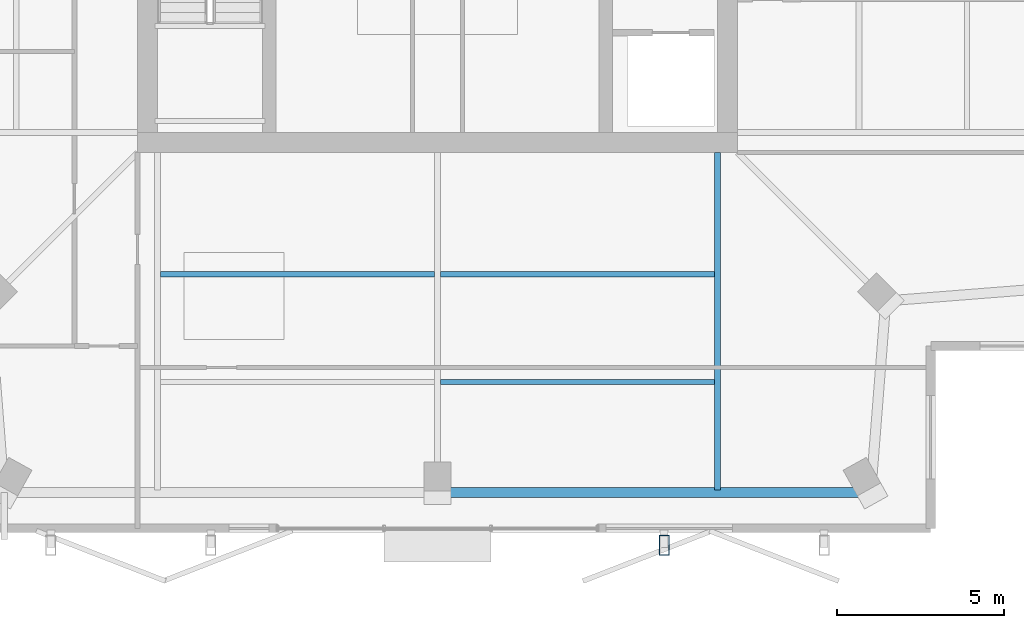
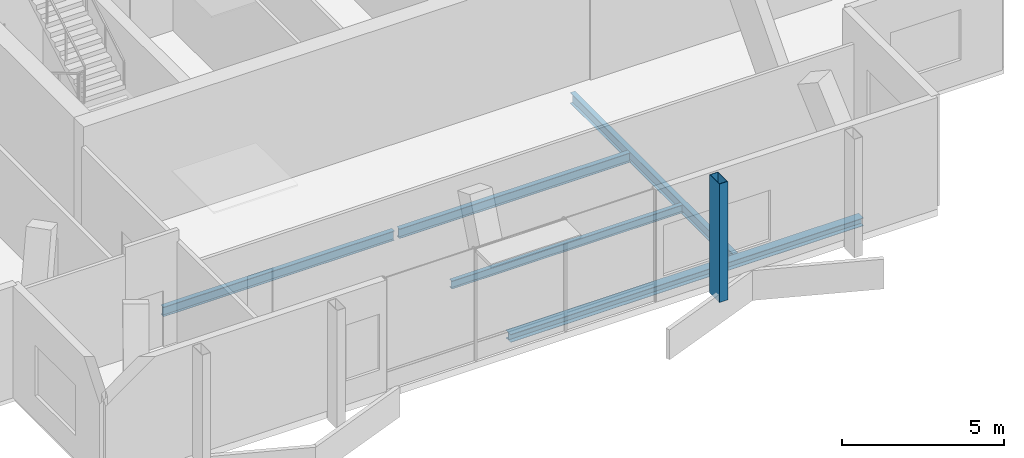
# One storey, part 3 of 16: 5 beams, 1 member.
"""IFC4 building model written with IfcOpenShell, lengths in metres."""

from ifc_helpers import new_model, si_unit, direction, frame, origin, origin_2d, place, context, subcontext, project, spatial, hollow_rectangle, i_section, extrude, material, material_profile, profile_set, type_object, element, save


model = new_model("IFC4")

# Units and contexts
model_context = context("Model", 3, precision=1e-05, world=origin(), true_north=direction((0.0, 1.0)))
body_context = subcontext(model_context, "Body", "Model", "MODEL_VIEW")
ifc_project = project(units=[si_unit("LENGTHUNIT", "METRE"), si_unit("AREAUNIT", "SQUARE_METRE"), si_unit("VOLUMEUNIT", "CUBIC_METRE"), si_unit("PLANEANGLEUNIT", "RADIAN"), si_unit("MASSUNIT", "GRAM", prefix="KILO")], contexts=[model_context])

# Site, building, storey
site_placement = place(None, origin())
site = spatial("IfcSite", under=ifc_project, at=site_placement, CompositionType="ELEMENT")
building_placement = place(site_placement, origin())
building = spatial("IfcBuilding", under=site, at=building_placement, Name="Belovzor Exchange Tower", CompositionType="ELEMENT")
storey_placement = place(building_placement, frame((0.0, 0.0, 364.5)))
storey = spatial("IfcBuildingStorey", under=building, at=storey_placement, Name="L91", CompositionType="ELEMENT", Elevation=364.5)

# Beams
ifc_material_1 = material(Name="Steel S355", Category="steel")
ifc_material_profile_1 = material_profile(ifc_material_1, i_section(OverallWidth=0.169921875, OverallDepth=0.360107421875, WebThickness=0.008056640625, FlangeThickness=0.0126953125, at=origin_2d()))
ifc_profile_set_1 = profile_set([ifc_material_profile_1], Name="Steel S355")
beam_type_1 = type_object("IfcBeamType", Name="Secondary Infill Floor Joist IPE 360", PredefinedType="BEAM", material=ifc_profile_set_1)
beam_1_placement = place(storey_placement, frame((20.489990234375, 16.155029296875, -0.43994140625), z_axis=(1.0, 0.0, 0.0), x_axis=(0.0, 1.0, 0.0)))
element("IfcBeam", 1, at=beam_1_placement, inside=storey, type_object=beam_type_1, Name="FJ-360 Secondary Infill Floor Joist IPE 360", PredefinedType="BEAM", context=body_context, shape_type="SweptSolid", body=[
    extrude(i_section(OverallWidth=0.169921875, OverallDepth=0.360107421875, WebThickness=0.008056640625, FlangeThickness=0.0126953125, at=origin_2d()), origin(), (0.0, 0.0, 1.0), 8.219970703125),
])
beam_2_placement = place(storey_placement, frame((28.889892578125, 16.155029296875, -0.43994140625), z_axis=(1.0, 0.0, 0.0), x_axis=(0.0, 1.0, 0.0)))
element("IfcBeam", 2, at=beam_2_placement, inside=storey, type_object=beam_type_1, Name="FJ-360 Secondary Infill Floor Joist IPE 360", PredefinedType="BEAM", context=body_context, shape_type="SweptSolid", body=[
    extrude(i_section(OverallWidth=0.169921875, OverallDepth=0.360107421875, WebThickness=0.008056640625, FlangeThickness=0.0126953125, at=origin_2d()), origin(), (0.0, 0.0, 1.0), 8.22021484375),
])
ifc_material_2 = material(Name="Steel S355", Category="steel")
ifc_material_profile_2 = material_profile(ifc_material_2, i_section(OverallWidth=0.14990234375, OverallDepth=0.300048828125, WebThickness=0.007080078125, FlangeThickness=0.0107421875, at=origin_2d()))
ifc_profile_set_2 = profile_set([ifc_material_profile_2], Name="Steel S355")
beam_type_2 = type_object("IfcBeamType", Name="Secondary Trim Floor Joist IPE 300", PredefinedType="BEAM", material=ifc_profile_set_2)
beam_3_placement = place(storey_placement, frame((28.889892578125, 12.9150390625, -0.409912109375), z_axis=(1.0, 0.0, 0.0), x_axis=(0.0, 1.0, 0.0)))
element("IfcBeam", 3, at=beam_3_placement, inside=storey, type_object=beam_type_2, Name="FJ-300 Secondary Trim Floor Joist IPE 300", PredefinedType="BEAM", context=body_context, shape_type="SweptSolid", body=[
    extrude(i_section(OverallWidth=0.14990234375, OverallDepth=0.300048828125, WebThickness=0.007080078125, FlangeThickness=0.0107421875, at=origin_2d()), origin(), (0.0, 0.0, 1.0), 8.22021484375),
])

# Member
ifc_material_3 = material(Name="Extruded Architectural Terracotta on Steel S355 Carrier", Category="masonry")
ifc_material_profile_3 = material_profile(ifc_material_3, hollow_rectangle(XDim=0.300048828125, YDim=0.60009765625, WallThickness=0.01611328125, at=origin_2d()))
ifc_profile_set_3 = profile_set([ifc_material_profile_3], Name="Extruded Architectural Terracotta on Steel S355 Carrier")
member_type = type_object("IfcMemberType", Name="Upper Crown Terracotta Fin Assembly 550", PredefinedType="USERDEFINED", material=ifc_profile_set_3)
member_placement = place(storey_placement, frame((35.60009765625, 8.02490234375, -0.260009765625), z_axis=(0.0, 0.0, 1.0), x_axis=(1.0, 0.0, 0.0)))
element("IfcMember", 4, at=member_placement, inside=storey, type_object=member_type, Name="FIN-TC055 Terracotta Facade Fin L91 S3", ObjectType="FIN", PredefinedType="USERDEFINED", context=body_context, shape_type="SweptSolid", body=[
    extrude(hollow_rectangle(XDim=0.300048828125, YDim=0.60009765625, WallThickness=0.01611328125, at=origin_2d()), origin(), (0.0, 0.0, 1.0), 4.4599609375),
])

# Beams
ifc_material_4 = material(Name="Steel S355", Category="steel")
ifc_material_profile_4 = material_profile(ifc_material_4, i_section(OverallWidth=0.179931640625, OverallDepth=0.39990234375, WebThickness=0.008544921875, FlangeThickness=0.013427734375, at=origin_2d()))
ifc_profile_set_4 = profile_set([ifc_material_profile_4], Name="Steel S355")
beam_type_3 = type_object("IfcBeamType", Name="Zone 5-6 Radial Composite Floor Beam IPE 400", PredefinedType="BEAM", material=ifc_profile_set_4)
beam_4_placement = place(storey_placement, frame((37.199951171875, 19.800048828125, -0.4599609375), z_axis=(0.0, -1.0, 0.0), x_axis=(1.0, 0.0, 0.0)))
element("IfcBeam", 5, at=beam_4_placement, inside=storey, type_object=beam_type_3, Name="FB-400 Zone 5-6 Radial Composite Floor Beam IPE 400", PredefinedType="BEAM", context=body_context, shape_type="SweptSolid", body=[
    extrude(i_section(OverallWidth=0.179931640625, OverallDepth=0.39990234375, WebThickness=0.008544921875, FlangeThickness=0.013427734375, at=origin_2d()), origin(), (0.0, 0.0, 1.0), 10.125),
])
ifc_material_5 = material(Name="Steel S355", Category="steel")
ifc_material_profile_5 = material_profile(ifc_material_5, i_section(OverallWidth=0.300048828125, OverallDepth=0.300048828125, WebThickness=0.008544921875, FlangeThickness=0.013916015625, at=origin_2d()))
ifc_profile_set_5 = profile_set([ifc_material_profile_5], Name="Steel S355")
beam_type_4 = type_object("IfcBeamType", Name="Zone 6 Primary Girder HEA 300", PredefinedType="BEAM", material=ifc_profile_set_5)
beam_5_placement = place(storey_placement, frame((29.02001953125, 9.60009765625, -0.409912109375), z_axis=(1.0, 0.0, 0.0), x_axis=(0.0, 1.0, 0.0)))
element("IfcBeam", 6, at=beam_5_placement, inside=storey, type_object=beam_type_4, Name="FG-Z6 Zone 6 Primary Girder HEA 300", PredefinedType="BEAM", context=body_context, shape_type="SweptSolid", body=[
    extrude(i_section(OverallWidth=0.300048828125, OverallDepth=0.300048828125, WebThickness=0.008544921875, FlangeThickness=0.013916015625, at=origin_2d()), origin(), (0.0, 0.0, 1.0), 12.56005859375),
])

save(model, "model.ifc")
